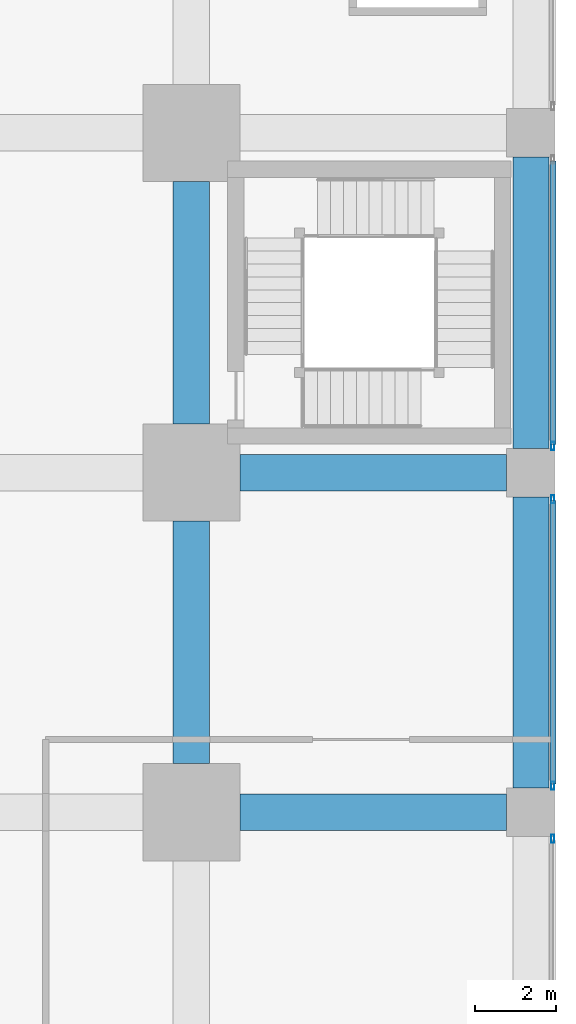
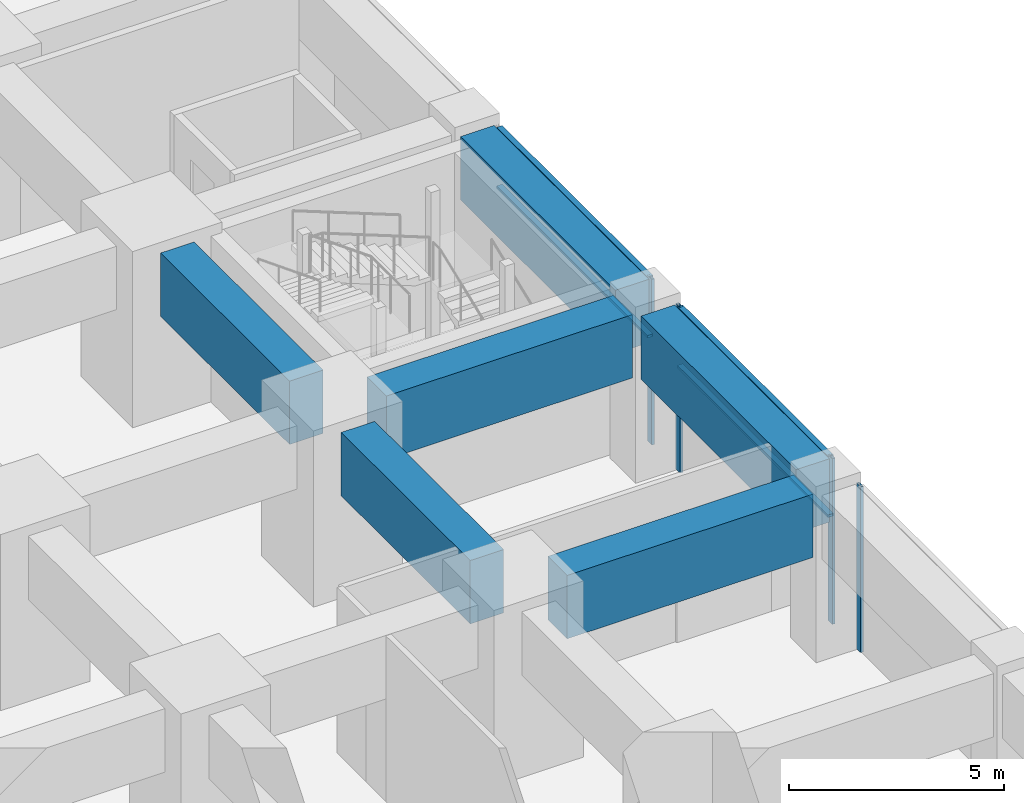
# One storey, part 31 of 48: 8 members, 6 beams, 3 elements without a shape of their own.
"""IFC4 building model written with IfcOpenShell, lengths in metres."""

import ifcopenshell
import ifcopenshell.guid

model = None  # the IFC model being written
_history = None  # IfcOwnerHistory: only IFC2X3 demands one
_inside = {}  # id of a spatial element -> (the spatial element, [elements in it])
_under = {}  # id of a project, library or spatial element -> (it, [spatial elements below it])
_declared = {}  # id of a project -> (the project, [libraries it declares])
_typed = {}  # id of a type object -> (the type object, [elements of that type])
_made_of = {}  # id of a material, layer set ... -> (it, [elements and type objects made of it])


def new_model(schema):
    """Start an empty IFC model of exactly this schema.

    Asked for "IFC4X3", IfcOpenShell would pick the latest addendum, in which some entities
    have other attributes; the version numbers below select the first issue.
    IFC2X3 requires an IfcOwnerHistory on every rooted entity: one is made here for all.
    """
    global model, _history
    if schema == "IFC4X3":
        model = ifcopenshell.file(schema_version=(4, 3, 0, 0))
    else:
        model = ifcopenshell.file(schema=schema)
    _inside.clear()
    _under.clear()
    _declared.clear()
    _typed.clear()
    _made_of.clear()
    _history = None
    if model.schema == "IFC2X3":
        org = make("IfcOrganization", Name="unknown")
        user = make(
            "IfcPersonAndOrganization",
            ThePerson=make("IfcPerson", FamilyName="unknown"),
            TheOrganization=org,
        )
        app = make(
            "IfcApplication",
            ApplicationDeveloper=org,
            Version="unknown",
            ApplicationFullName="unknown",
            ApplicationIdentifier="unknown",
        )
        _history = make(
            "IfcOwnerHistory",
            OwningUser=user,
            OwningApplication=app,
            ChangeAction="ADDED",
            CreationDate=0,
        )
    return model


def make(cls, **values):
    """One entity of the class cls with the attributes given. An attribute that is None is left unset."""
    return model.create_entity(
        cls, **{name: value for name, value in values.items() if value is not None}
    )


def rooted(cls, **values):
    """An entity with a GlobalId (a new one), such as an element, a storey or a relation."""
    return make(cls, GlobalId=ifcopenshell.guid.new(), OwnerHistory=_history, **values)


def si_unit(unit_type, name, prefix=None):
    """IfcSIUnit, for example si_unit("LENGTHUNIT", "METRE", prefix="MILLI")."""
    return make("IfcSIUnit", UnitType=unit_type, Prefix=prefix, Name=name)


def assignment(units):
    """IfcUnitAssignment: the units of a project."""
    return None if units is None else make("IfcUnitAssignment", Units=units)


def point(xyz):
    """IfcCartesianPoint."""
    return None if xyz is None else make("IfcCartesianPoint", Coordinates=xyz)


def direction(xyz):
    """IfcDirection."""
    return None if xyz is None else make("IfcDirection", DirectionRatios=xyz)


def frame(location, z_axis=None, x_axis=None):
    """IfcAxis2Placement3D, a coordinate frame: its origin and axes. An axis left out is left unset."""
    return make(
        "IfcAxis2Placement3D",
        Location=point(location),
        Axis=direction(z_axis),
        RefDirection=direction(x_axis),
    )


def frame_2d(location, x_axis=None):
    """IfcAxis2Placement2D, a coordinate frame in the plane: its origin and x axis."""
    return make(
        "IfcAxis2Placement2D", Location=point(location), RefDirection=direction(x_axis)
    )


def origin():
    """The frame at (0, 0, 0) with its axes left unset."""
    return frame((0.0, 0.0, 0.0))


def origin_2d():
    """The frame at (0, 0) in the plane with its x axis left unset."""
    return frame_2d((0.0, 0.0))


def place(relative_to, where):
    """IfcLocalPlacement: puts the frame where relative to a parent placement (None: the world)."""
    return make(
        "IfcLocalPlacement", PlacementRelTo=relative_to, RelativePlacement=where
    )


def context(
    kind, dimensions, precision=None, world=None, true_north=None, identifier=None
):
    """IfcGeometricRepresentationContext, for example the 3D "Model" context."""
    return make(
        "IfcGeometricRepresentationContext",
        ContextIdentifier=identifier,
        ContextType=kind,
        CoordinateSpaceDimension=dimensions,
        Precision=precision,
        WorldCoordinateSystem=world,
        TrueNorth=true_north,
    )


def subcontext(parent, identifier, kind, view, scale=None):
    """IfcGeometricRepresentationSubContext, for example "Body" below "Model"."""
    return make(
        "IfcGeometricRepresentationSubContext",
        ContextIdentifier=identifier,
        ContextType=kind,
        ParentContext=parent,
        TargetScale=scale,
        TargetView=view,
    )


def project(units=None, contexts=None):
    """IfcProject with its units and contexts."""
    return rooted(
        "IfcProject",
        Name="project",
        RepresentationContexts=contexts,
        UnitsInContext=assignment(units),
    )


def spatial(cls, under=None, at=None, **own):
    """A site, building, storey or space (cls), placed at a placement, below another one or the project."""
    s = rooted(cls, ObjectPlacement=at, **own)
    if under is not None:
        _under.setdefault(under.id(), (under, []))[1].append(s)
    return s


def profile(cls, at=None, kind="AREA", **sizes):
    """A parametric profile (cls). Its sizes go by their IFC names, for example OverallWidth=200.0."""
    return make(cls, ProfileType=kind, Position=at, **sizes)


def rectangle(**sizes):
    """IfcRectangleProfileDef."""
    return profile("IfcRectangleProfileDef", **sizes)


def hollow_rectangle(**sizes):
    """IfcRectangleHollowProfileDef."""
    return profile("IfcRectangleHollowProfileDef", **sizes)


def extrude(swept, where, along, depth):
    """IfcExtrudedAreaSolid: the profile swept, set in the frame where, extruded along a direction by depth."""
    return make(
        "IfcExtrudedAreaSolid",
        SweptArea=swept,
        Position=where,
        ExtrudedDirection=direction(along),
        Depth=depth,
    )


def shape(context_of_items, identifier, shape_type, items):
    """IfcShapeRepresentation: the items that make up one representation, for example the "Body"."""
    return make(
        "IfcShapeRepresentation",
        ContextOfItems=context_of_items,
        RepresentationIdentifier=identifier,
        RepresentationType=shape_type,
        Items=items,
    )


def material(Name=None, Category=None):
    """IfcMaterial."""
    return make("IfcMaterial", Name=Name, Category=Category)


def material_profile(
    of_material, cross_section, Name=None, Category=None, Priority=None
):
    """IfcMaterialProfile: a cross section and its material."""
    return make(
        "IfcMaterialProfile",
        Name=Name,
        Material=of_material,
        Profile=cross_section,
        Priority=Priority,
        Category=Category,
    )


def profile_set(profiles, Name=None, composite=None):
    """IfcMaterialProfileSet."""
    return make(
        "IfcMaterialProfileSet",
        Name=Name,
        MaterialProfiles=profiles,
        CompositeProfile=composite,
    )


def made_of(thing, what):
    """Note that an element or type object is made of a material, layer set ...; save() writes the relation."""
    if what is not None:
        _made_of.setdefault(what.id(), (what, []))[1].append(thing)
    return thing


def type_object(cls, material=None, **own):
    """A type object (cls), such as IfcWallType, which elements share."""
    return made_of(rooted(cls, **own), material)


def element(
    cls,
    number,
    at=None,
    inside=None,
    cuts=None,
    type_object=None,
    material=None,
    context=None,
    identifier="Body",
    shape_type=None,
    held_by="IfcProductDefinitionShape",
    body=None,
    shapes=None,
    **own,
):
    """One element of the class cls, such as IfcWall. Its Tag is "e" and its number.

    at: its placement. inside: the storey or other place that contains it. cuts: it is an
    opening in that element (IfcRelVoidsElement). A single representation is given by context,
    identifier, shape_type and body (its items); several are given by shapes. held_by: the class
    of the entity that holds the representations. save() writes the other relations.
    """
    e = rooted(cls, Tag="e%d" % number, ObjectPlacement=at, **own)
    if body is not None:
        shapes = [shape(context, identifier, shape_type, body)]
    if shapes is not None:
        e.Representation = make(held_by, Representations=shapes)
    if inside is not None:
        _inside.setdefault(inside.id(), (inside, []))[1].append(e)
    if cuts is not None:
        rooted(
            "IfcRelVoidsElement", RelatingBuildingElement=cuts, RelatedOpeningElement=e
        )
    if type_object is not None:
        _typed.setdefault(type_object.id(), (type_object, []))[1].append(e)
    return made_of(e, material)


def aggregate(whole, parts):
    """IfcRelAggregates: a whole, such as a stair, and the parts it consists of."""
    return rooted("IfcRelAggregates", RelatingObject=whole, RelatedObjects=parts)


def save(model, path):
    """Write the relations noted so far, then the file.

    IfcRelAggregates (storeys below a building ...), IfcRelContainedInSpatialStructure (elements
    in a storey), IfcRelDefinesByType, IfcRelAssociatesMaterial and IfcRelDeclares: one each for
    every whole, place, type object, material and project.
    """
    for whole, parts in _under.values():
        aggregate(whole, parts)
    for where, things in _inside.values():
        rooted(
            "IfcRelContainedInSpatialStructure",
            RelatedElements=things,
            RelatingStructure=where,
        )
    for kind, things in _typed.values():
        rooted("IfcRelDefinesByType", RelatedObjects=things, RelatingType=kind)
    for what, things in _made_of.values():
        rooted("IfcRelAssociatesMaterial", RelatedObjects=things, RelatingMaterial=what)
    for by, libraries in _declared.values():
        rooted("IfcRelDeclares", RelatingContext=by, RelatedDefinitions=libraries)
    model.write(path)


model = new_model("IFC4")

# Units and contexts
model_context = context("Model", 3, precision=1e-05, world=origin(), true_north=direction((0.0, 1.0)))
body_context = subcontext(model_context, "Body", "Model", "MODEL_VIEW")
ifc_project = project(units=[si_unit("LENGTHUNIT", "METRE"), si_unit("AREAUNIT", "SQUARE_METRE"), si_unit("VOLUMEUNIT", "CUBIC_METRE"), si_unit("PLANEANGLEUNIT", "RADIAN"), si_unit("MASSUNIT", "GRAM", prefix="KILO")], contexts=[model_context])

# Site, building, storey
site_placement = place(None, origin())
site = spatial("IfcSite", under=ifc_project, at=site_placement, CompositionType="ELEMENT")
building_placement = place(site_placement, origin())
building = spatial("IfcBuilding", under=site, at=building_placement, Name="Rekha Terrace Tower", CompositionType="ELEMENT")
storey_placement = place(building_placement, frame((0.0, 0.0, 15.39990234375)))
storey = spatial("IfcBuildingStorey", under=building, at=storey_placement, Name="L03", CompositionType="ELEMENT", Elevation=15.39990234375)

# Curtain wall, member
ifc_material_1 = material(Name="Aluminium framing", Category="aluminium")
curtain_wall_type = type_object("IfcCurtainWallType", Name="CW4 podium shopfront glazing", PredefinedType="USERDEFINED", material=ifc_material_1)
curtain_wall_1_placement = place(storey_placement, origin())
curtain_wall_1 = element("IfcCurtainWall", 1, at=curtain_wall_1_placement, inside=storey, type_object=curtain_wall_type, Name="CW4 shopfront curtain wall", ObjectType="SHOPFRONT CURTAIN WALL", PredefinedType="USERDEFINED")
ifc_material_2 = material(Name="Aluminium mullion section", Category="aluminium")
ifc_material_profile_1 = material_profile(ifc_material_2, hollow_rectangle(XDim=0.074951171875, YDim=0.199951171875, WallThickness=0.00390625, at=origin_2d()), Name="AL RHS 75x200")
ifc_profile_set_1 = profile_set([ifc_material_profile_1], Name="Aluminium mullion section")
member_type_1 = type_object("IfcMemberType", Name="CW4 mullion RHS 75 x 200", PredefinedType="MULLION", material=ifc_profile_set_1)
member_1_placement = place(storey_placement, frame((76.139892578125, 16.142578125, 0.0), z_axis=(0.0, 0.0, 1.0), x_axis=(-1.0, 0.0, 0.0)))
member_1 = element("IfcMember", 2, at=member_1_placement, type_object=member_type_1, Name="CW4 mullion 2", PredefinedType="MULLION", context=body_context, shape_type="SweptSolid", body=[
    extrude(hollow_rectangle(XDim=0.074951171875, YDim=0.199951171875, WallThickness=0.00390625, at=origin_2d()), origin(), (0.0, 0.0, 1.0), 4.7001953125),
])
aggregate(curtain_wall_1, [member_1])

# Curtain wall, members
curtain_wall_2_placement = place(storey_placement, origin())
curtain_wall_2 = element("IfcCurtainWall", 3, at=curtain_wall_2_placement, inside=storey, type_object=curtain_wall_type, Name="CW4 shopfront curtain wall", ObjectType="SHOPFRONT CURTAIN WALL", PredefinedType="USERDEFINED")
member_2_placement = place(storey_placement, frame((76.139892578125, 17.45751953125, 0.0), z_axis=(0.0, 0.0, 1.0), x_axis=(-1.0, 0.0, 0.0)))
member_2 = element("IfcMember", 4, at=member_2_placement, type_object=member_type_1, Name="CW4 mullion 1", PredefinedType="MULLION", context=body_context, shape_type="SweptSolid", body=[
    extrude(hollow_rectangle(XDim=0.074951171875, YDim=0.199951171875, WallThickness=0.00390625, at=origin_2d()), origin(), (0.0, 0.0, 1.0), 4.7001953125),
])
member_3_placement = place(storey_placement, frame((76.139892578125, 24.54248046875, 0.0), z_axis=(0.0, 0.0, 1.0), x_axis=(-1.0, 0.0, 0.0)))
member_3 = element("IfcMember", 5, at=member_3_placement, type_object=member_type_1, Name="CW4 mullion 2", PredefinedType="MULLION", context=body_context, shape_type="SweptSolid", body=[
    extrude(hollow_rectangle(XDim=0.074951171875, YDim=0.199951171875, WallThickness=0.00390625, at=origin_2d()), origin(), (0.0, 0.0, 1.0), 4.7001953125),
])

# Curtain wall, member
curtain_wall_3_placement = place(storey_placement, origin())
curtain_wall_3 = element("IfcCurtainWall", 6, at=curtain_wall_3_placement, inside=storey, type_object=curtain_wall_type, Name="CW4 shopfront curtain wall", ObjectType="SHOPFRONT CURTAIN WALL", PredefinedType="USERDEFINED")
member_4_placement = place(storey_placement, frame((76.139892578125, 25.857421875, 0.0), z_axis=(0.0, 0.0, 1.0), x_axis=(-1.0, 0.0, 0.0)))
member_4 = element("IfcMember", 7, at=member_4_placement, type_object=member_type_1, Name="CW4 mullion 1", PredefinedType="MULLION", context=body_context, shape_type="SweptSolid", body=[
    extrude(hollow_rectangle(XDim=0.074951171875, YDim=0.199951171875, WallThickness=0.00390625, at=origin_2d()), origin(), (0.0, 0.0, 1.0), 4.7001953125),
])

# Member
ifc_material_3 = material(Name="Aluminium transom section", Category="aluminium")
ifc_material_profile_2 = material_profile(ifc_material_3, hollow_rectangle(XDim=0.14990234375, YDim=0.074951171875, WallThickness=0.0029296875, at=origin_2d()), Name="AL RHS 150x75")
ifc_profile_set_2 = profile_set([ifc_material_profile_2], Name="Aluminium transom section")
member_type_2 = type_object("IfcMemberType", Name="CW4 transom RHS 75 x 150", PredefinedType="USERDEFINED", material=ifc_profile_set_2)
member_5_placement = place(storey_placement, frame((76.139892578125, 17.4951171875, 3.0), z_axis=(0.0, 1.0, 0.0), x_axis=(-1.0, 0.0, 0.0)))
member_5 = element("IfcMember", 8, at=member_5_placement, type_object=member_type_2, Name="CW4 transom 1.2", ObjectType="TRANSOM", PredefinedType="USERDEFINED", context=body_context, shape_type="SweptSolid", body=[
    extrude(hollow_rectangle(XDim=0.14990234375, YDim=0.074951171875, WallThickness=0.0029296875, at=origin_2d()), origin(), (0.0, 0.0, 1.0), 7.009765625),
])

member_6_placement = place(storey_placement, frame((76.139892578125, 17.4951171875, 4.66259765625), z_axis=(0.0, 1.0, 0.0), x_axis=(-1.0, 0.0, 0.0)))
member_6 = element("IfcMember", 9, at=member_6_placement, type_object=member_type_2, Name="CW4 transom 1.3", ObjectType="TRANSOM", PredefinedType="USERDEFINED", context=body_context, shape_type="SweptSolid", body=[
    extrude(hollow_rectangle(XDim=0.14990234375, YDim=0.074951171875, WallThickness=0.0029296875, at=origin_2d()), origin(), (0.0, 0.0, 1.0), 7.009765625),
])

aggregate(curtain_wall_2, [member_2, member_3, member_5, member_6])

member_7_placement = place(storey_placement, frame((76.139892578125, 25.89501953125, 3.0), z_axis=(0.0, 1.0, 0.0), x_axis=(-1.0, 0.0, 0.0)))
member_7 = element("IfcMember", 10, at=member_7_placement, type_object=member_type_2, Name="CW4 transom 1.2", ObjectType="TRANSOM", PredefinedType="USERDEFINED", context=body_context, shape_type="SweptSolid", body=[
    extrude(hollow_rectangle(XDim=0.14990234375, YDim=0.074951171875, WallThickness=0.0029296875, at=origin_2d()), origin(), (0.0, 0.0, 1.0), 7.010009765625),
])

member_8_placement = place(storey_placement, frame((76.139892578125, 25.89501953125, 4.66259765625), z_axis=(0.0, 1.0, 0.0), x_axis=(-1.0, 0.0, 0.0)))
member_8 = element("IfcMember", 11, at=member_8_placement, type_object=member_type_2, Name="CW4 transom 1.3", ObjectType="TRANSOM", PredefinedType="USERDEFINED", context=body_context, shape_type="SweptSolid", body=[
    extrude(hollow_rectangle(XDim=0.14990234375, YDim=0.074951171875, WallThickness=0.0029296875, at=origin_2d()), origin(), (0.0, 0.0, 1.0), 7.010009765625),
])

aggregate(curtain_wall_3, [member_4, member_7, member_8])

# Beams
ifc_material_4 = material(Name="Concrete M60", Category="concrete")
ifc_material_profile_3 = material_profile(ifc_material_4, rectangle(XDim=0.89990234375, YDim=1.800048828125, at=origin_2d()), Name="RC 900x1800")
ifc_profile_set_3 = profile_set([ifc_material_profile_3], Name="Concrete M60")
beam_type = type_object("IfcBeamType", Name="G1 900x1800 podium floor beam", PredefinedType="BEAM", material=ifc_profile_set_3)
beam_1_placement = place(storey_placement, frame((68.39990234375, 16.800048828125, 3.800048828125), z_axis=(1.0, 0.0, 0.0), x_axis=(0.0, 1.0, 0.0)))
element("IfcBeam", 12, at=beam_1_placement, inside=storey, type_object=beam_type, Name="Beam G1 9C-10C under L04", PredefinedType="BEAM", context=body_context, shape_type="SweptSolid", body=[
    extrude(rectangle(XDim=0.89990234375, YDim=1.800048828125, at=origin_2d()), origin(), (0.0, 0.0, 1.0), 6.60009765625),
])
beam_2_placement = place(storey_placement, frame((67.199951171875, 18.0, 3.800048828125), z_axis=(0.0, 1.0, 0.0), x_axis=(-1.0, 0.0, 0.0)))
element("IfcBeam", 13, at=beam_2_placement, inside=storey, type_object=beam_type, Name="Beam G1 9C-9D under L04", PredefinedType="BEAM", context=body_context, shape_type="SweptSolid", body=[
    extrude(rectangle(XDim=0.89990234375, YDim=1.800048828125, at=origin_2d()), origin(), (0.0, 0.0, 1.0), 6.0),
])
beam_3_placement = place(storey_placement, frame((68.39990234375, 25.199951171875, 3.800048828125), z_axis=(1.0, 0.0, 0.0), x_axis=(0.0, 1.0, 0.0)))
element("IfcBeam", 14, at=beam_3_placement, inside=storey, type_object=beam_type, Name="Beam G1 9D-10D under L04", PredefinedType="BEAM", context=body_context, shape_type="SweptSolid", body=[
    extrude(rectangle(XDim=0.89990234375, YDim=1.800048828125, at=origin_2d()), origin(), (0.0, 0.0, 1.0), 6.60009765625),
])
beam_4_placement = place(storey_placement, frame((67.199951171875, 26.39990234375, 3.800048828125), z_axis=(0.0, 1.0, 0.0), x_axis=(-1.0, 0.0, 0.0)))
element("IfcBeam", 15, at=beam_4_placement, inside=storey, type_object=beam_type, Name="Beam G1 9D-9E under L04", PredefinedType="BEAM", context=body_context, shape_type="SweptSolid", body=[
    extrude(rectangle(XDim=0.89990234375, YDim=1.800048828125, at=origin_2d()), origin(), (0.0, 0.0, 1.0), 6.0),
])
beam_5_placement = place(storey_placement, frame((75.60009765625, 17.39990234375, 3.800048828125), z_axis=(0.0, 1.0, 0.0), x_axis=(-1.0, 0.0, 0.0)))
element("IfcBeam", 16, at=beam_5_placement, inside=storey, type_object=beam_type, Name="Beam G1 10C-10D under L04", PredefinedType="BEAM", context=body_context, shape_type="SweptSolid", body=[
    extrude(rectangle(XDim=0.89990234375, YDim=1.800048828125, at=origin_2d()), origin(), (0.0, 0.0, 1.0), 7.2001953125),
])
beam_6_placement = place(storey_placement, frame((75.60009765625, 25.800048828125, 3.800048828125), z_axis=(0.0, 1.0, 0.0), x_axis=(-1.0, 0.0, 0.0)))
element("IfcBeam", 17, at=beam_6_placement, inside=storey, type_object=beam_type, Name="Beam G1 10D-10E under L04", PredefinedType="BEAM", context=body_context, shape_type="SweptSolid", body=[
    extrude(rectangle(XDim=0.89990234375, YDim=1.800048828125, at=origin_2d()), origin(), (0.0, 0.0, 1.0), 7.199951171875),
])

save(model, "model.ifc")
